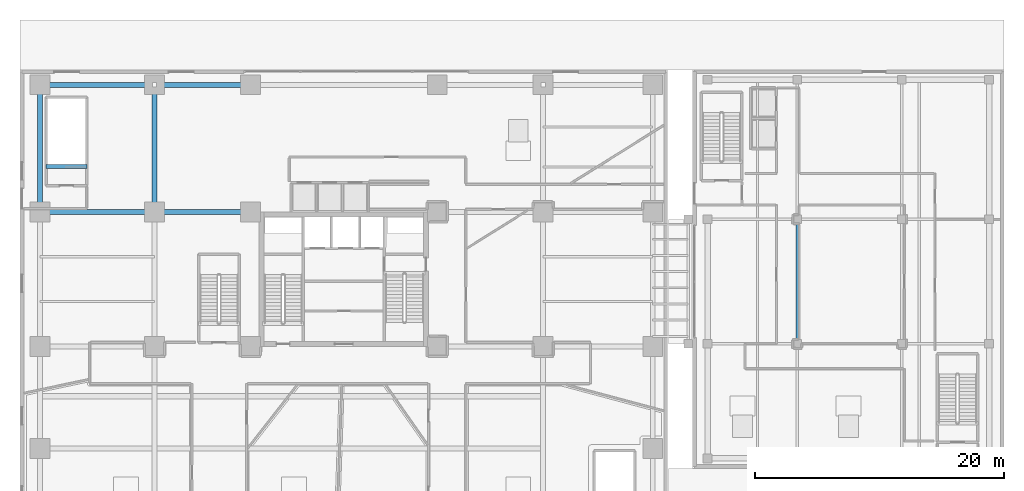
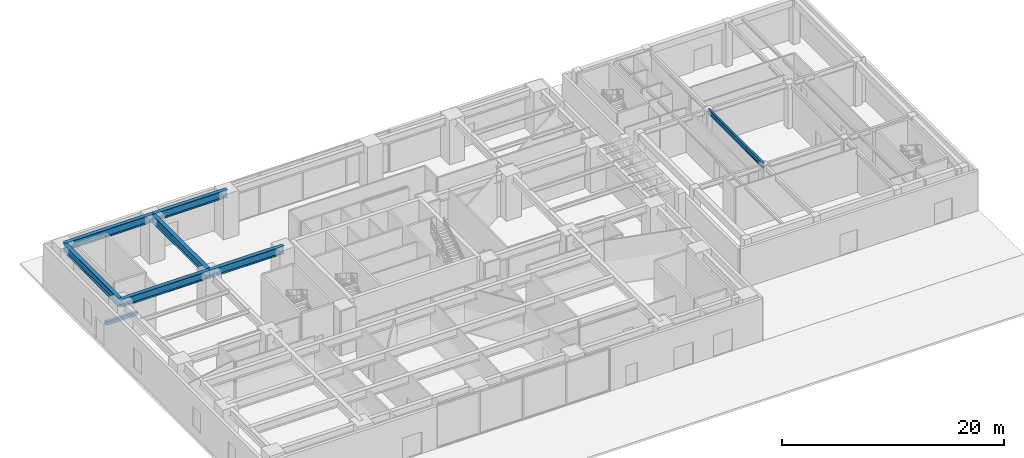
# One storey, part 10 of 28: 8 beams.
"""IFC4 building model written with IfcOpenShell, lengths in metres."""

from ifc_helpers import new_model, si_unit, direction, frame, origin, origin_2d, place, context, subcontext, project, spatial, rectangle, i_section, extrude, material, material_profile, profile_set, type_object, element, save


model = new_model("IFC4")

# Units and contexts
model_context = context("Model", 3, precision=1e-05, world=origin(), true_north=direction((0.0, 1.0)))
body_context = subcontext(model_context, "Body", "Model", "MODEL_VIEW")
ifc_project = project(units=[si_unit("LENGTHUNIT", "METRE"), si_unit("AREAUNIT", "SQUARE_METRE"), si_unit("VOLUMEUNIT", "CUBIC_METRE"), si_unit("PLANEANGLEUNIT", "RADIAN"), si_unit("MASSUNIT", "GRAM", prefix="KILO")], contexts=[model_context])

# Site, building, storey
site_placement = place(None, origin())
site = spatial("IfcSite", under=ifc_project, at=site_placement, CompositionType="ELEMENT")
building_placement = place(site_placement, origin())
building = spatial("IfcBuilding", under=site, at=building_placement, Name="Talar Marvaseh", CompositionType="ELEMENT")
storey_placement = place(building_placement, origin())
storey = spatial("IfcBuildingStorey", under=building, at=storey_placement, Name="L00", CompositionType="ELEMENT", Elevation=0.0)

# Beams
ifc_material_1 = material(Name="Steel S355", Category="steel")
ifc_material_profile_1 = material_profile(ifc_material_1, i_section(OverallWidth=0.39990234375, OverallDepth=0.85498046875, WebThickness=0.018310546875, FlangeThickness=0.029296875, at=origin_2d()), Name="W840x299")
ifc_profile_set_1 = profile_set([ifc_material_profile_1], Name="Steel S355")
beam_type_1 = type_object("IfcBeamType", Name="Concourse Primary Girder W840x299", PredefinedType="BEAM", material=ifc_profile_set_1)
beam_1_placement = place(storey_placement, frame((1.60009765625, 36.60009765625, 4.472412109375), z_axis=(1.0, 0.0, 0.0), x_axis=(0.0, 1.0, 0.0)))
element("IfcBeam", 1, at=beam_1_placement, inside=storey, type_object=beam_type_1, Name="L00 Concourse Primary Girder W840x299", PredefinedType="BEAM", context=body_context, shape_type="SweptSolid", body=[
    extrude(i_section(OverallWidth=0.39990234375, OverallDepth=0.85498046875, WebThickness=0.018310546875, FlangeThickness=0.029296875, at=origin_2d()), origin(), (0.0, 0.0, 1.0), 9.199951171875),
])
beam_2_placement = place(storey_placement, frame((10.800048828125, 36.60009765625, 4.472412109375), z_axis=(1.0, 0.0, 0.0), x_axis=(0.0, 1.0, 0.0)))
element("IfcBeam", 2, at=beam_2_placement, inside=storey, type_object=beam_type_1, Name="L00 Concourse Primary Girder W840x299", PredefinedType="BEAM", context=body_context, shape_type="SweptSolid", body=[
    extrude(i_section(OverallWidth=0.39990234375, OverallDepth=0.85498046875, WebThickness=0.018310546875, FlangeThickness=0.029296875, at=origin_2d()), origin(), (0.0, 0.0, 1.0), 7.699951171875),
])
beam_3_placement = place(storey_placement, frame((1.60009765625, 46.800048828125, 4.472412109375), z_axis=(1.0, 0.0, 0.0), x_axis=(0.0, 1.0, 0.0)))
element("IfcBeam", 3, at=beam_3_placement, inside=storey, type_object=beam_type_1, Name="L00 Concourse Primary Girder W840x299", PredefinedType="BEAM", context=body_context, shape_type="SweptSolid", body=[
    extrude(i_section(OverallWidth=0.39990234375, OverallDepth=0.85498046875, WebThickness=0.018310546875, FlangeThickness=0.029296875, at=origin_2d()), origin(), (0.0, 0.0, 1.0), 9.199951171875),
])
beam_4_placement = place(storey_placement, frame((10.800048828125, 46.800048828125, 4.472412109375), z_axis=(1.0, 0.0, 0.0), x_axis=(0.0, 1.0, 0.0)))
element("IfcBeam", 4, at=beam_4_placement, inside=storey, type_object=beam_type_1, Name="L00 Concourse Primary Girder W840x299", PredefinedType="BEAM", context=body_context, shape_type="SweptSolid", body=[
    extrude(i_section(OverallWidth=0.39990234375, OverallDepth=0.85498046875, WebThickness=0.018310546875, FlangeThickness=0.029296875, at=origin_2d()), origin(), (0.0, 0.0, 1.0), 7.699951171875),
])
for number, where, z_axis, x_axis, name in (
    (5, (1.60009765625, 36.60009765625, 4.472412109375), (0.0, 1.0, 0.0), (-1.0, 0.0, 0.0), "L00 Concourse Primary Girder W840x299"),
    (6, (10.800048828125, 36.60009765625, 4.472412109375), (0.0, 1.0, 0.0), (-1.0, 0.0, 0.0), "L00 Concourse Primary Girder W840x299"),
):
    element("IfcBeam", number, at=place(storey_placement, frame(where, z_axis=z_axis, x_axis=x_axis)), inside=storey, type_object=beam_type_1, Name=name, PredefinedType="BEAM", context=body_context, shape_type="SweptSolid", body=[
        extrude(i_section(OverallWidth=0.39990234375, OverallDepth=0.85498046875, WebThickness=0.018310546875, FlangeThickness=0.029296875, at=origin_2d()), origin(), (0.0, 0.0, 1.0), 10.199951171875),
    ])
ifc_material_2 = material(Name="Concrete C40/50", Category="concrete")
ifc_material_profile_2 = material_profile(ifc_material_2, rectangle(XDim=0.300048828125, YDim=0.360107421875, at=origin_2d()), Name="RC300x360")
ifc_profile_set_2 = profile_set([ifc_material_profile_2], Name="Concrete C40/50")
beam_type_2 = type_object("IfcBeamType", Name="Concrete Stair Landing Trimmer Beam RC300x360", PredefinedType="SPANDREL", material=ifc_profile_set_2)
beam_5_placement = place(storey_placement, frame((5.3798828125, 40.22998046875, -0.179931640625), z_axis=(-1.0, 0.0, 0.0), x_axis=(0.0, -1.0, 0.0)))
element("IfcBeam", 7, at=beam_5_placement, inside=storey, type_object=beam_type_2, Name="L00 STN-ST1 Stair Nosing Trimmer Beam", PredefinedType="SPANDREL", context=body_context, shape_type="SweptSolid", body=[
    extrude(rectangle(XDim=0.300048828125, YDim=0.360107421875, at=origin_2d()), origin(), (0.0, 0.0, 1.0), 3.2998046875),
])
ifc_material_profile_3 = material_profile(ifc_material_1, i_section(OverallWidth=0.2119140625, OverallDepth=0.5439453125, WebThickness=0.01318359375, FlangeThickness=0.021240234375, at=origin_2d()), Name="W530x123")
ifc_profile_set_3 = profile_set([ifc_material_profile_3], Name="Steel S355")
beam_type_3 = type_object("IfcBeamType", Name="Market Hall Primary Girder W530x123", PredefinedType="BEAM", material=ifc_profile_set_3)
beam_6_placement = place(storey_placement, frame((62.39990234375, 26.0, 4.6279296875), z_axis=(0.0, 1.0, 0.0), x_axis=(-1.0, 0.0, 0.0)))
element("IfcBeam", 8, at=beam_6_placement, inside=storey, type_object=beam_type_3, Name="L00 Market Hall Primary Girder W530x123", PredefinedType="BEAM", context=body_context, shape_type="SweptSolid", body=[
    extrude(i_section(OverallWidth=0.2119140625, OverallDepth=0.5439453125, WebThickness=0.01318359375, FlangeThickness=0.021240234375, at=origin_2d()), origin(), (0.0, 0.0, 1.0), 10.0),
])

save(model, "model.ifc")
